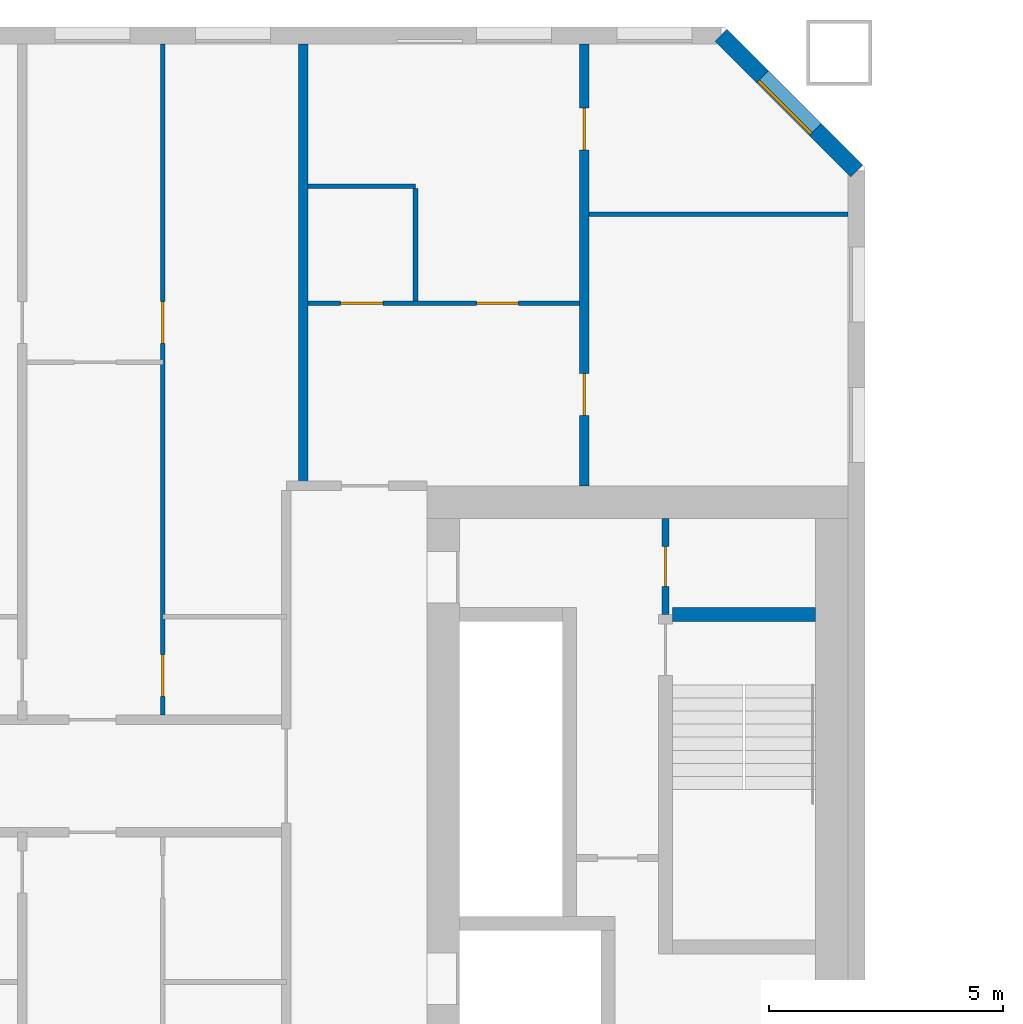
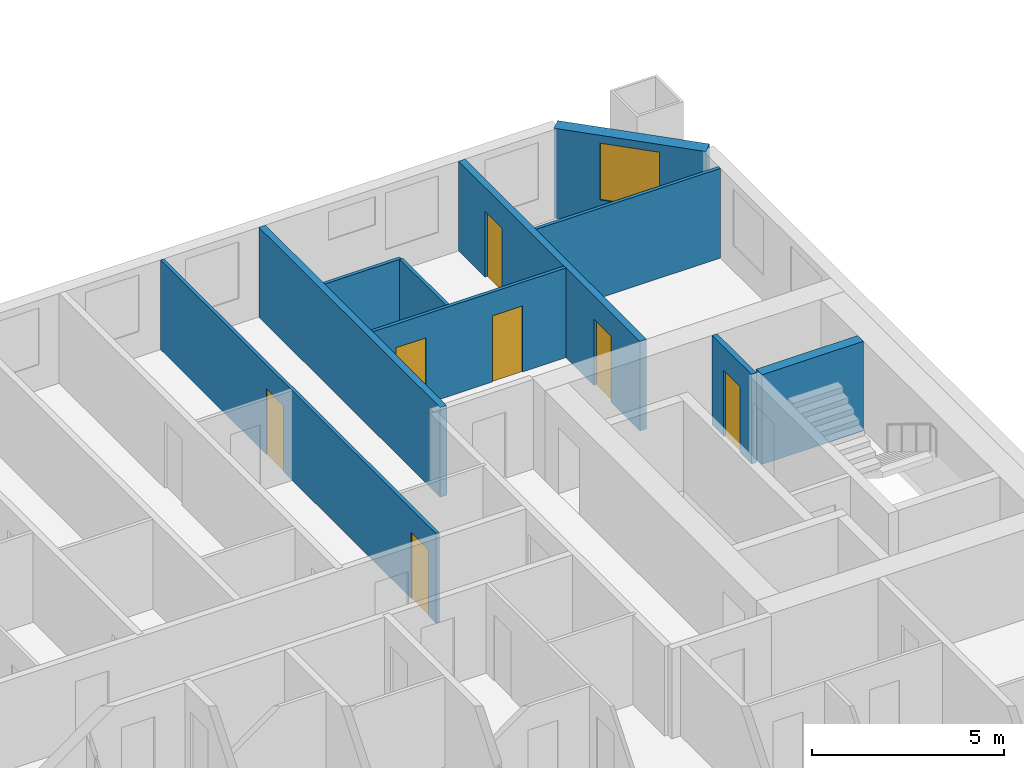
# One storey, part 8 of 17: 10 walls, 7 doors, 1 window, 8 openings.
"""IFC4 building model written with IfcOpenShell, lengths in metres."""

from ifc_helpers import new_model, si_unit, direction, frame, frame_2d, origin, place, context, subcontext, project, spatial, rectangle, extrude, material, layer, layer_set, type_object, element, fill, save


model = new_model("IFC4")

# Units and contexts
model_context = context("Model", 3, precision=1e-05, world=origin(), true_north=direction((0.0, 1.0)))
body_context = subcontext(model_context, "Body", "Model", "MODEL_VIEW")
ifc_project = project(units=[si_unit("LENGTHUNIT", "METRE"), si_unit("AREAUNIT", "SQUARE_METRE"), si_unit("VOLUMEUNIT", "CUBIC_METRE"), si_unit("PLANEANGLEUNIT", "RADIAN"), si_unit("MASSUNIT", "GRAM", prefix="KILO")], contexts=[model_context])

# Site, building, storey
site_placement = place(None, origin())
site = spatial("IfcSite", under=ifc_project, at=site_placement, CompositionType="ELEMENT")
building_placement = place(site_placement, origin())
building = spatial("IfcBuilding", under=site, at=building_placement, Name="Tuart Gate Housing", CompositionType="ELEMENT")
storey_placement = place(building_placement, frame((0.0, 0.0, 74.699951171875)))
storey = spatial("IfcBuildingStorey", under=building, at=storey_placement, Name="L20", CompositionType="ELEMENT", Elevation=74.699951171875)

# Wall, opening, window
ifc_material_1 = material(Name="Brick", Category="masonry")
ifc_layer_1 = layer(ifc_material_1, 0.360107421875)
ifc_layer_set_1 = layer_set([ifc_layer_1], Name="Brick pier and spandrel wall 360")
wall_type_1 = type_object("IfcWallType", Name="Brick pier and spandrel wall 360", PredefinedType="STANDARD", material=ifc_layer_set_1)
wall_1_placement = place(storey_placement, frame((75.820068359375, 82.92529296875, 0.0), z_axis=(0.0, 0.0, 1.0), x_axis=(-0.707106781187, 0.707106781187, 0.0)))
wall_1 = element("IfcWall", 1, at=wall_1_placement, inside=storey, type_object=wall_type_1, Name="External wall A-NE L20", PredefinedType="STANDARD", context=body_context, shape_type="SweptSolid", body=[
    extrude(rectangle(XDim=4.09375, YDim=0.360107421875, at=frame_2d((2.046875, 0.0))), origin(), (0.0, 0.0, 1.0), 2.85009765625),
])
opening_1_placement = place(wall_1_placement, frame((1.2470703125, 0.0, 0.800048828125)))
opening_1 = element("IfcOpeningElement", 2, at=opening_1_placement, cuts=wall_1, Name="Opening W1", PredefinedType="OPENING", context=body_context, shape_type="SweptSolid", body=[
    extrude(rectangle(XDim=1.60009765625, YDim=1.800048828125, at=frame_2d((0.800048828125, 0.89990234375))), frame((0.0, 0.18994140625, 0.0), z_axis=(0.0, -1.0, 0.0), x_axis=(1.0, 0.0, 0.0)), (0.0, 0.0, 1.0), 0.380126953125),
])
ifc_material_2 = material(Name="Aluminium frame with clear glass", Category="aluminium")
window_type = type_object("IfcWindowType", Name="Punched window 1600 x 1800", PartitioningType="SINGLE_PANEL", PredefinedType="WINDOW", material=ifc_material_2)
window_placement = place(opening_1_placement, origin())
window = element("IfcWindow", 3, at=window_placement, inside=storey, type_object=window_type, Name="Window W1", OverallHeight=1.800048828125, OverallWidth=1.60009765625, PartitioningType="SINGLE_PANEL", PredefinedType="WINDOW", context=body_context, shape_type="SweptSolid", body=[
    extrude(rectangle(XDim=1.60009765625, YDim=1.800048828125, at=frame_2d((0.800048828125, 0.89990234375))), frame((0.0, 0.150146484375, 0.0), z_axis=(0.0, -1.0, 0.0), x_axis=(1.0, 0.0, 0.0)), (0.0, 0.0, 1.0), 0.06005859375),
])
fill(opening_1, window)

# Wall, opening, door
ifc_material_3 = material(Name="Plasterboard partition")
ifc_layer_2 = layer(ifc_material_3, 0.14990234375)
ifc_layer_set_2 = layer_set([ifc_layer_2], Name="Core partition 150")
wall_type_2 = type_object("IfcWallType", Name="Core partition 150", PredefinedType="PARTITIONING", material=ifc_layer_set_2)
wall_2_placement = place(storey_placement, frame((71.739990234375, 73.449951171875, 0.0), z_axis=(0.0, 0.0, 1.0), x_axis=(0.0, 1.0, 0.0)))
wall_2 = element("IfcWall", 4, at=wall_2_placement, inside=storey, type_object=wall_type_2, Name="Core partition AG.9", PredefinedType="PARTITIONING", context=body_context, shape_type="SweptSolid", body=[
    extrude(rectangle(XDim=2.050048828125, YDim=0.14990234375, at=frame_2d((1.02490234375, 0.0))), origin(), (0.0, 0.0, 1.0), 2.85009765625),
])
opening_2_placement = place(wall_2_placement, frame((0.60009765625, 0.0, 0.0)))
opening_2 = element("IfcOpeningElement", 5, at=opening_2_placement, cuts=wall_2, Name="Opening D857", PredefinedType="OPENING", context=body_context, shape_type="SweptSolid", body=[
    extrude(rectangle(XDim=0.85009765625, YDim=2.10009765625, at=frame_2d((0.425048828125, 1.050048828125))), frame((0.0, 0.0849609375, 0.0), z_axis=(0.0, -1.0, 0.0), x_axis=(1.0, 0.0, 0.0)), (0.0, 0.0, 1.0), 0.169921875),
])
ifc_material_4 = material(Name="Steel fire door", Category="steel")
door_type_1 = type_object("IfcDoorType", Name="Service door 850 x 2100 RH", OperationType="SINGLE_SWING_RIGHT", PredefinedType="DOOR", material=ifc_material_4)
door_1_placement = place(opening_2_placement, frame((0.85009765625, 0.0, 0.0), z_axis=(0.0, 0.0, 1.0), x_axis=(-1.0, 0.0, 0.0)))
door_1 = element("IfcDoor", 6, at=door_1_placement, inside=storey, type_object=door_type_1, Name="Service room door AG.ST", OperationType="SINGLE_SWING_RIGHT", OverallHeight=2.10009765625, OverallWidth=0.85009765625, PredefinedType="DOOR", context=body_context, shape_type="SweptSolid", body=[
    extrude(rectangle(XDim=0.85009765625, YDim=2.10009765625, at=frame_2d((0.425048828125, 1.050048828125))), frame((0.0, 0.025146484375, 0.0), z_axis=(0.0, -1.0, 0.0), x_axis=(1.0, 0.0, 0.0)), (0.0, 0.0, 1.0), 0.050048828125),
])
fill(opening_2, door_1)

# Wall
ifc_material_5 = material(Name="Concrete C50", Category="concrete")
ifc_layer_3 = layer(ifc_material_5, 0.300048828125)
ifc_layer_set_3 = layer_set([ifc_layer_3], Name="Core wall 300 C50")
wall_type_3 = type_object("IfcWallType", Name="Core wall 300 C50", PredefinedType="SHEAR", material=ifc_layer_set_3)
wall_3_placement = place(storey_placement, frame((71.889892578125, 73.449951171875, 0.0), z_axis=(0.0, 0.0, 1.0), x_axis=(1.0, 0.0, 0.0)))
element("IfcWall", 7, at=wall_3_placement, inside=storey, type_object=wall_type_3, Name="Core wall AG.5", PredefinedType="SHEAR", context=body_context, shape_type="SweptSolid", body=[
    extrude(rectangle(XDim=3.050048828125, YDim=0.300048828125, at=frame_2d((1.52490234375, 0.0))), origin(), (0.0, 0.0, 1.0), 2.85009765625),
])

# Wall, openings, doors
ifc_material_6 = material(Name="Gypsum board on steel studs", Category="steel")
ifc_layer_4 = layer(ifc_material_6, 0.10009765625)
ifc_layer_set_4 = layer_set([ifc_layer_4], Name="Partition 100")
wall_type_4 = type_object("IfcWallType", Name="Partition 100", PredefinedType="PARTITIONING", material=ifc_layer_set_4)
wall_4_placement = place(storey_placement, frame((64.10009765625, 80.10009765625, 0.0), z_axis=(0.0, 0.0, 1.0), x_axis=(1.0, 0.0, 0.0)))
wall_4 = element("IfcWall", 8, at=wall_4_placement, inside=storey, type_object=wall_type_4, Name="Partition 100", PredefinedType="PARTITIONING", context=body_context, shape_type="SweptSolid", body=[
    extrude(rectangle(XDim=5.7998046875, YDim=0.10009765625, at=frame_2d((2.89990234375, 0.0))), origin(), (0.0, 0.0, 1.0), 2.85009765625),
])
opening_3_placement = place(wall_4_placement, frame((3.60009765625, 0.0, 0.0)))
opening_3 = element("IfcOpeningElement", 9, at=opening_3_placement, cuts=wall_4, Name="Opening D841", PredefinedType="OPENING", context=body_context, shape_type="SweptSolid", body=[
    extrude(rectangle(XDim=0.89990234375, YDim=2.10009765625, at=frame_2d((0.449951171875, 1.050048828125))), frame((0.0, 0.06005859375, 0.0), z_axis=(0.0, -1.0, 0.0), x_axis=(1.0, 0.0, 0.0)), (0.0, 0.0, 1.0), 0.1201171875),
])
opening_4_placement = place(wall_4_placement, frame((0.699951171875, 0.0, 0.0)))
opening_4 = element("IfcOpeningElement", 10, at=opening_4_placement, cuts=wall_4, Name="Opening D840", PredefinedType="OPENING", context=body_context, shape_type="SweptSolid", body=[
    extrude(rectangle(XDim=0.89990234375, YDim=2.10009765625, at=frame_2d((0.449951171875, 1.050048828125))), frame((0.0, 0.06005859375, 0.0), z_axis=(0.0, -1.0, 0.0), x_axis=(1.0, 0.0, 0.0)), (0.0, 0.0, 1.0), 0.1201171875),
])
ifc_material_7 = material(Name="Timber door leaf in steel frame", Category="steel")
door_type_2 = type_object("IfcDoorType", Name="Bathroom door 900 RH", OperationType="SINGLE_SWING_RIGHT", PredefinedType="DOOR", material=ifc_material_7)
door_2_placement = place(opening_4_placement, origin())
door_2 = element("IfcDoor", 11, at=door_2_placement, inside=storey, type_object=door_type_2, Name="Bathroom door", OperationType="SINGLE_SWING_RIGHT", OverallHeight=2.10009765625, OverallWidth=0.89990234375, PredefinedType="DOOR", context=body_context, shape_type="SweptSolid", body=[
    extrude(rectangle(XDim=0.89990234375, YDim=2.10009765625, at=frame_2d((0.449951171875, 1.050048828125))), frame((0.0, 0.02490234375, 0.0), z_axis=(0.0, -1.0, 0.0), x_axis=(1.0, 0.0, 0.0)), (0.0, 0.0, 1.0), 0.050048828125),
])
fill(opening_4, door_2)
ifc_material_8 = material(Name="Timber door leaf in steel frame", Category="steel")
door_type_3 = type_object("IfcDoorType", Name="Internal door 900", OperationType="SINGLE_SWING_LEFT", PredefinedType="DOOR", material=ifc_material_8)
door_3_placement = place(opening_3_placement, frame((0.89990234375, 0.0, 0.0), z_axis=(0.0, 0.0, 1.0), x_axis=(-1.0, 0.0, 0.0)))
door_3 = element("IfcDoor", 12, at=door_3_placement, inside=storey, type_object=door_type_3, Name="Internal door", OperationType="SINGLE_SWING_LEFT", OverallHeight=2.10009765625, OverallWidth=0.89990234375, PredefinedType="DOOR", context=body_context, shape_type="SweptSolid", body=[
    extrude(rectangle(XDim=0.89990234375, YDim=2.10009765625, at=frame_2d((0.449951171875, 1.050048828125))), frame((0.0, 0.025146484375, 0.0), z_axis=(0.0, -1.0, 0.0), x_axis=(1.0, 0.0, 0.0)), (0.0, 0.0, 1.0), 0.050048828125),
])
fill(opening_3, door_3)

# Walls
wall_5_placement = place(storey_placement, frame((70.10009765625, 82.0, 0.0), z_axis=(0.0, 0.0, 1.0), x_axis=(1.0, 0.0, 0.0)))
element("IfcWall", 13, at=wall_5_placement, inside=storey, type_object=wall_type_4, Name="Partition 100", PredefinedType="PARTITIONING", context=body_context, shape_type="SweptSolid", body=[
    extrude(rectangle(XDim=5.539794921875, YDim=0.10009765625, at=frame_2d((2.77001953125, 0.0))), origin(), (0.0, 0.0, 1.0), 2.85009765625),
])
wall_6_placement = place(storey_placement, frame((64.10009765625, 82.60009765625, 0.0), z_axis=(0.0, 0.0, 1.0), x_axis=(1.0, 0.0, 0.0)))
element("IfcWall", 14, at=wall_6_placement, inside=storey, type_object=wall_type_4, Name="Partition 100", PredefinedType="PARTITIONING", context=body_context, shape_type="SweptSolid", body=[
    extrude(rectangle(XDim=2.2998046875, YDim=0.10009765625, at=frame_2d((1.14990234375, 0.0))), origin(), (0.0, 0.0, 1.0), 2.85009765625),
])

# Wall, openings, doors
wall_7_placement = place(storey_placement, frame((61.0, 71.300048828125, 0.0), z_axis=(0.0, 0.0, 1.0), x_axis=(0.0, 1.0, 0.0)))
wall_7 = element("IfcWall", 15, at=wall_7_placement, inside=storey, type_object=wall_type_4, Name="Partition 100", PredefinedType="PARTITIONING", context=body_context, shape_type="SweptSolid", body=[
    extrude(rectangle(XDim=14.33984375, YDim=0.10009765625, at=frame_2d((7.169921875, 0.0))), origin(), (0.0, 0.0, 1.0), 2.85009765625),
])
opening_5_placement = place(wall_7_placement, frame((7.93994140625, 0.0, 0.0)))
opening_5 = element("IfcOpeningElement", 16, at=opening_5_placement, cuts=wall_7, Name="Opening D848", PredefinedType="OPENING", context=body_context, shape_type="SweptSolid", body=[
    extrude(rectangle(XDim=0.89990234375, YDim=2.10009765625, at=frame_2d((0.449951171875, 1.050048828125))), frame((0.0, 0.06005859375, 0.0), z_axis=(0.0, -1.0, 0.0), x_axis=(1.0, 0.0, 0.0)), (0.0, 0.0, 1.0), 0.1201171875),
])
opening_6_placement = place(wall_7_placement, frame((0.39990234375, 0.0, 0.0)))
opening_6 = element("IfcOpeningElement", 17, at=opening_6_placement, cuts=wall_7, Name="Opening D847", PredefinedType="OPENING", context=body_context, shape_type="SweptSolid", body=[
    extrude(rectangle(XDim=0.89990234375, YDim=2.10009765625, at=frame_2d((0.449951171875, 1.050048828125))), frame((0.0, 0.06005859375, 0.0), z_axis=(0.0, -1.0, 0.0), x_axis=(1.0, 0.0, 0.0)), (0.0, 0.0, 1.0), 0.1201171875),
])
door_4_placement = place(opening_6_placement, frame((0.89990234375, 0.0, 0.0), z_axis=(0.0, 0.0, 1.0), x_axis=(-1.0, 0.0, 0.0)))
door_4 = element("IfcDoor", 18, at=door_4_placement, inside=storey, type_object=door_type_2, Name="Bathroom door", OperationType="SINGLE_SWING_RIGHT", OverallHeight=2.10009765625, OverallWidth=0.89990234375, PredefinedType="DOOR", context=body_context, shape_type="SweptSolid", body=[
    extrude(rectangle(XDim=0.89990234375, YDim=2.10009765625, at=frame_2d((0.449951171875, 1.050048828125))), frame((0.0, 0.025146484375, 0.0), z_axis=(0.0, -1.0, 0.0), x_axis=(1.0, 0.0, 0.0)), (0.0, 0.0, 1.0), 0.050048828125),
])
fill(opening_6, door_4)
door_5_placement = place(opening_5_placement, frame((0.89990234375, 0.0, 0.0), z_axis=(0.0, 0.0, 1.0), x_axis=(-1.0, 0.0, 0.0)))
door_5 = element("IfcDoor", 19, at=door_5_placement, inside=storey, type_object=door_type_3, Name="Internal door", OperationType="SINGLE_SWING_LEFT", OverallHeight=2.10009765625, OverallWidth=0.89990234375, PredefinedType="DOOR", context=body_context, shape_type="SweptSolid", body=[
    extrude(rectangle(XDim=0.89990234375, YDim=2.10009765625, at=frame_2d((0.449951171875, 1.050048828125))), frame((0.0, 0.025146484375, 0.0), z_axis=(0.0, -1.0, 0.0), x_axis=(1.0, 0.0, 0.0)), (0.0, 0.0, 1.0), 0.050048828125),
])
fill(opening_5, door_5)

# Walls
wall_8_placement = place(storey_placement, frame((66.39990234375, 80.14990234375, 0.0), z_axis=(0.0, 0.0, 1.0), x_axis=(0.0, 1.0, 0.0)))
element("IfcWall", 20, at=wall_8_placement, inside=storey, type_object=wall_type_4, Name="Partition 100", PredefinedType="PARTITIONING", context=body_context, shape_type="SweptSolid", body=[
    extrude(rectangle(XDim=2.400146484375, YDim=0.10009765625, at=frame_2d((1.2001953125, 0.0))), origin(), (0.0, 0.0, 1.0), 2.85009765625),
])
ifc_material_9 = material(Name="Concrete C40", Category="concrete")
ifc_layer_5 = layer(ifc_material_9, 0.199951171875)
ifc_layer_set_5 = layer_set([ifc_layer_5], Name="Party wall concrete C40 200")
wall_type_5 = type_object("IfcWallType", Name="Party wall concrete C40 200", PredefinedType="SOLIDWALL", material=ifc_layer_set_5)
wall_9_placement = place(storey_placement, frame((64.0, 76.199951171875, 0.0), z_axis=(0.0, 0.0, 1.0), x_axis=(0.0, 1.0, 0.0)))
element("IfcWall", 21, at=wall_9_placement, inside=storey, type_object=wall_type_5, Name="Party wall concrete C40 200", PredefinedType="SOLIDWALL", context=body_context, shape_type="SweptSolid", body=[
    extrude(rectangle(XDim=9.43994140625, YDim=0.199951171875, at=frame_2d((4.719970703125, 0.0))), origin(), (0.0, 0.0, 1.0), 2.85009765625),
])

# Wall, openings, doors
wall_10_placement = place(storey_placement, frame((70.0, 76.199951171875, 0.0), z_axis=(0.0, 0.0, 1.0), x_axis=(0.0, 1.0, 0.0)))
wall_10 = element("IfcWall", 22, at=wall_10_placement, inside=storey, type_object=wall_type_5, Name="Party wall concrete C40 200", PredefinedType="SOLIDWALL", context=body_context, shape_type="SweptSolid", body=[
    extrude(rectangle(XDim=9.43994140625, YDim=0.199951171875, at=frame_2d((4.719970703125, 0.0))), origin(), (0.0, 0.0, 1.0), 2.85009765625),
])
opening_7_placement = place(wall_10_placement, frame((7.169921875, 0.0, 0.0)))
opening_7 = element("IfcOpeningElement", 23, at=opening_7_placement, cuts=wall_10, Name="Opening D838", PredefinedType="OPENING", context=body_context, shape_type="SweptSolid", body=[
    extrude(rectangle(XDim=0.89990234375, YDim=2.10009765625, at=frame_2d((0.449951171875, 1.050048828125))), frame((0.0, 0.10986328125, 0.0), z_axis=(0.0, -1.0, 0.0), x_axis=(1.0, 0.0, 0.0)), (0.0, 0.0, 1.0), 0.219970703125),
])
opening_8_placement = place(wall_10_placement, frame((1.5, 0.0, 0.0)))
opening_8 = element("IfcOpeningElement", 24, at=opening_8_placement, cuts=wall_10, Name="Opening D839", PredefinedType="OPENING", context=body_context, shape_type="SweptSolid", body=[
    extrude(rectangle(XDim=0.89990234375, YDim=2.10009765625, at=frame_2d((0.449951171875, 1.050048828125))), frame((0.0, 0.10986328125, 0.0), z_axis=(0.0, -1.0, 0.0), x_axis=(1.0, 0.0, 0.0)), (0.0, 0.0, 1.0), 0.219970703125),
])
ifc_material_10 = material(Name="Timber door leaf in steel frame", Category="steel")
door_type_4 = type_object("IfcDoorType", Name="Internal door 900 RH", OperationType="SINGLE_SWING_RIGHT", PredefinedType="DOOR", material=ifc_material_10)
door_6_placement = place(opening_7_placement, frame((0.89990234375, 0.0, 0.0), z_axis=(0.0, 0.0, 1.0), x_axis=(-1.0, 0.0, 0.0)))
door_6 = element("IfcDoor", 25, at=door_6_placement, inside=storey, type_object=door_type_4, Name="Internal door", OperationType="SINGLE_SWING_RIGHT", OverallHeight=2.10009765625, OverallWidth=0.89990234375, PredefinedType="DOOR", context=body_context, shape_type="SweptSolid", body=[
    extrude(rectangle(XDim=0.89990234375, YDim=2.10009765625, at=frame_2d((0.449951171875, 1.050048828125))), frame((0.0, 0.025146484375, 0.0), z_axis=(0.0, -1.0, 0.0), x_axis=(1.0, 0.0, 0.0)), (0.0, 0.0, 1.0), 0.050048828125),
])
fill(opening_7, door_6)
door_7_placement = place(opening_8_placement, frame((0.89990234375, 0.0, 0.0), z_axis=(0.0, 0.0, 1.0), x_axis=(-1.0, 0.0, 0.0)))
door_7 = element("IfcDoor", 26, at=door_7_placement, inside=storey, type_object=door_type_4, Name="Internal door", OperationType="SINGLE_SWING_RIGHT", OverallHeight=2.10009765625, OverallWidth=0.89990234375, PredefinedType="DOOR", context=body_context, shape_type="SweptSolid", body=[
    extrude(rectangle(XDim=0.89990234375, YDim=2.10009765625, at=frame_2d((0.449951171875, 1.050048828125))), frame((0.0, 0.025146484375, 0.0), z_axis=(0.0, -1.0, 0.0), x_axis=(1.0, 0.0, 0.0)), (0.0, 0.0, 1.0), 0.050048828125),
])
fill(opening_8, door_7)

save(model, "model.ifc")
